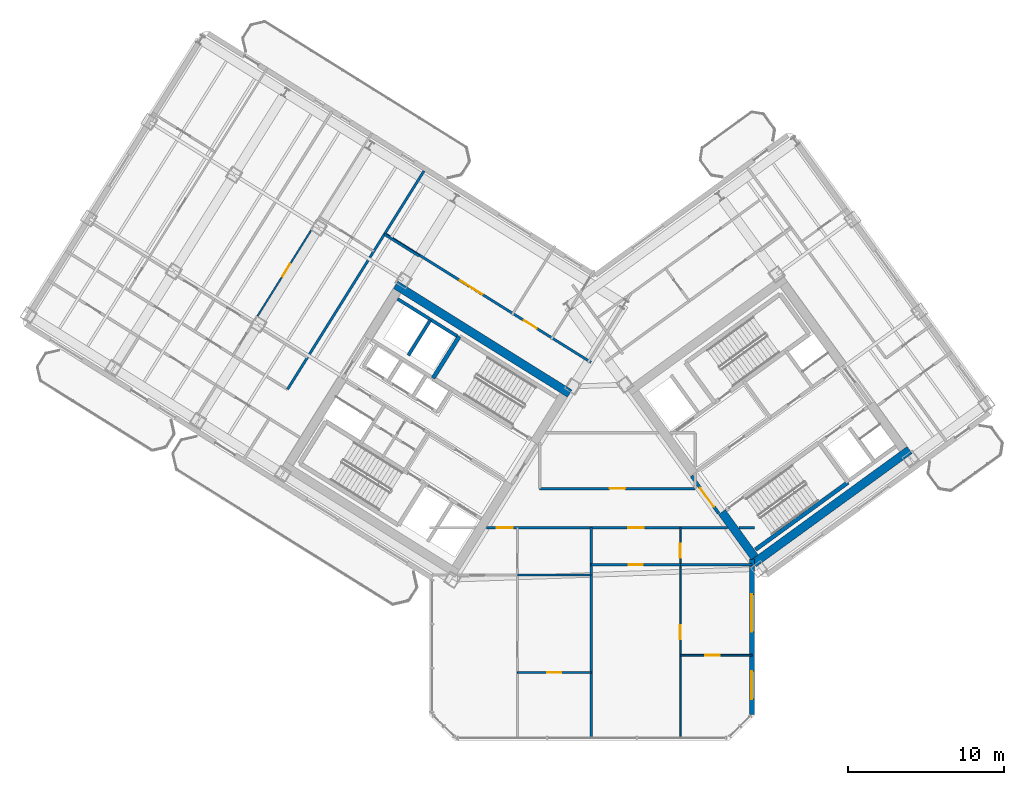
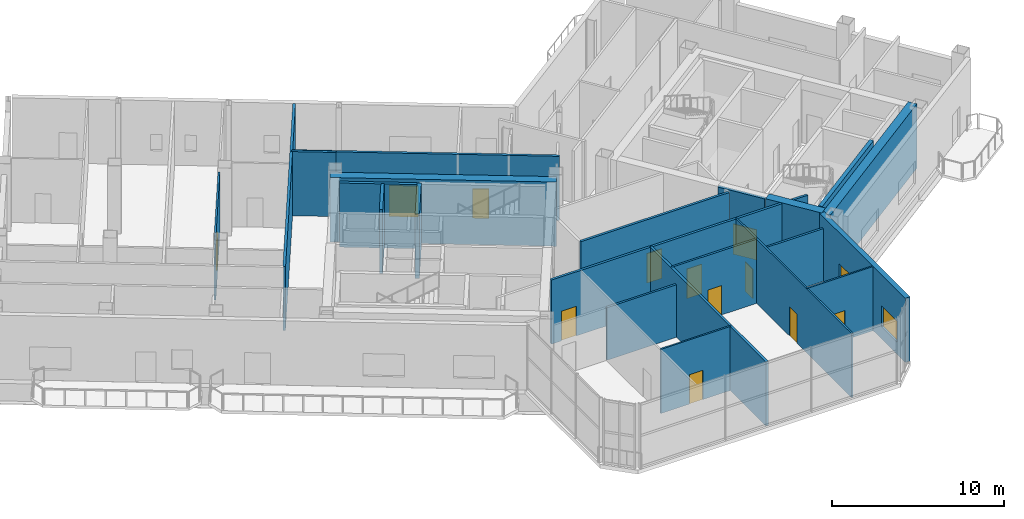
# One storey, part 14 of 21: 23 walls, 12 doors, 2 windows, 14 openings.
"""IFC4 building model written with IfcOpenShell, lengths in metres."""

from ifc_helpers import new_model, si_unit, direction, frame, frame_2d, origin, place, context, subcontext, project, spatial, rectangle, extrude, source, transform, mapped, material, layer, layer_set, type_object, element, fill, save


model = new_model("IFC4")

# Units and contexts
model_context = context("Model", 3, precision=1e-05, world=origin(), true_north=direction((0.0, 1.0)))
body_context = subcontext(model_context, "Body", "Model", "MODEL_VIEW")
ifc_project = project(units=[si_unit("LENGTHUNIT", "METRE"), si_unit("AREAUNIT", "SQUARE_METRE"), si_unit("VOLUMEUNIT", "CUBIC_METRE"), si_unit("PLANEANGLEUNIT", "RADIAN"), si_unit("MASSUNIT", "GRAM", prefix="KILO")], contexts=[model_context])

# Site, building, storey
site_placement = place(None, origin())
site = spatial("IfcSite", under=ifc_project, at=site_placement, CompositionType="ELEMENT")
building_placement = place(site_placement, origin())
building = spatial("IfcBuilding", under=site, at=building_placement, Name="Tlacorven Tower", CompositionType="ELEMENT")
storey_placement = place(building_placement, frame((0.0, 0.0, 179.39990234375)))
storey = spatial("IfcBuildingStorey", under=building, at=storey_placement, Name="L45", CompositionType="ELEMENT", Elevation=179.39990234375)

# Walls
ifc_material_1 = material(Name="Concrete C60/75", Category="concrete")
ifc_layer_1 = layer(ifc_material_1, 0.550048828125)
ifc_layer_set_1 = layer_set([ifc_layer_1], Name="Concrete C60/75")
wall_type_1 = type_object("IfcWallType", Name="WL-COR-550", PredefinedType="SHEAR", material=ifc_layer_set_1)
wall_1_placement = place(storey_placement, frame((40.572998046875, 24.010009765625, 0.0), z_axis=(0.0, 0.0, 1.0), x_axis=(-0.848047359947, 0.529920442413, 0.0)))
element("IfcWall", 1, at=wall_1_placement, inside=storey, type_object=wall_type_1, Name="L45 W core shear wall S1", PredefinedType="SHEAR", context=body_context, shape_type="SweptSolid", body=[
    extrude(rectangle(XDim=13.139892578125, YDim=0.550048828125, at=frame_2d((6.56982421875, 0.0))), origin(), (0.0, 0.0, 1.0), 4.550048828125),
])
wall_2_placement = place(storey_placement, frame((52.35888671875, 13.1396484375, 0.0), z_axis=(0.0, 0.0, 1.0), x_axis=(0.809014896919, 0.587788139183, 0.0)))
element("IfcWall", 2, at=wall_2_placement, inside=storey, type_object=wall_type_1, Name="L45 E core shear wall S1", PredefinedType="SHEAR", context=body_context, shape_type="SweptSolid", body=[
    extrude(rectangle(XDim=12.340087890625, YDim=0.550048828125, at=frame_2d((6.169921875, 0.0))), origin(), (0.0, 0.0, 1.0), 4.550048828125),
])
wall_3_placement = place(storey_placement, frame((52.419677734375, 13.52392578125, 0.0), z_axis=(0.0, 0.0, 1.0), x_axis=(-0.587802113096, 0.809004744015, 0.0)))
element("IfcWall", 3, at=wall_3_placement, inside=storey, type_object=wall_type_1, Name="L45 E core end wall E1.1", PredefinedType="SHEAR", context=body_context, shape_type="SweptSolid", body=[
    extrude(rectangle(XDim=3.574951171875, YDim=0.550048828125, at=frame_2d((1.78759765625, 0.0))), origin(), (0.0, 0.0, 1.0), 4.550048828125),
])
ifc_material_2 = material(Name="Gypsum plasterboard acoustic partition", Category="gypsum")
ifc_layer_2 = layer(ifc_material_2, 0.159912109375)
ifc_layer_set_2 = layer_set([ifc_layer_2], Name="Gypsum plasterboard acoustic partition")
wall_type_2 = type_object("IfcWallType", Name="WL-DEM-160", PredefinedType="PARTITIONING", material=ifc_layer_set_2)
wall_4_placement = place(storey_placement, frame((30.91357421875, 32.82861328125, 0.0), z_axis=(0.0, 0.0, 1.0), x_axis=(-0.848008813643, 0.529982124211, 0.0)))
element("IfcWall", 4, at=wall_4_placement, inside=storey, type_object=wall_type_2, Name="L45 partition 45", PredefinedType="PARTITIONING", context=body_context, shape_type="SweptSolid", body=[
    extrude(rectangle(XDim=2.610107421875, YDim=0.159912109375, at=frame_2d((1.30517578125, 0.0))), origin(), (0.0, 0.0, 1.0), 4.5400390625),
])
wall_5_placement = place(storey_placement, frame((31.238525390625, 38.27392578125, 0.0), z_axis=(0.0, 0.0, 1.0), x_axis=(-0.529921796515, -0.848046513806, 0.0)))
element("IfcWall", 5, at=wall_5_placement, inside=storey, type_object=wall_type_2, Name="L45 partition 47", PredefinedType="PARTITIONING", context=body_context, shape_type="SweptSolid", body=[
    extrude(rectangle(XDim=16.5, YDim=0.159912109375, at=frame_2d((8.25, 0.0))), origin(), (0.0, 0.0, 1.0), 4.5400390625),
])

# Wall, openings, doors
wall_6_placement = place(storey_placement, frame((41.93603515625, 26.011962890625, 0.0), z_axis=(0.0, 0.0, 1.0), x_axis=(-0.848051154596, 0.529914369676, 0.0)))
wall_6 = element("IfcWall", 6, at=wall_6_placement, inside=storey, type_object=wall_type_2, Name="L45 partition 64", PredefinedType="PARTITIONING", context=body_context, shape_type="SweptSolid", body=[
    extrude(rectangle(XDim=15.56982421875, YDim=0.159912109375, at=frame_2d((7.784912109375, 0.0))), origin(), (0.0, 0.0, 1.0), 4.5400390625),
])
opening_1_placement = place(wall_6_placement, frame((4.10009765625, 0.0, 0.0)))
opening_1 = element("IfcOpeningElement", 7, at=opening_1_placement, cuts=wall_6, Name="Opening D14", PredefinedType="OPENING", context=body_context, shape_type="SweptSolid", body=[
    extrude(rectangle(XDim=0.9599609375, YDim=2.080078125, at=frame_2d((0.47998046875, 1.0400390625))), frame((0.0, 0.08984375, 0.0), z_axis=(0.0, -1.0, 0.0), x_axis=(1.0, 0.0, 0.0)), (0.0, 0.0, 1.0), 0.179931640625),
])
opening_2_placement = place(wall_6_placement, frame((8.199951171875, 0.0, 0.0)))
opening_2 = element("IfcOpeningElement", 8, at=opening_2_placement, cuts=wall_6, Name="Opening D17", PredefinedType="OPENING", context=body_context, shape_type="SweptSolid", body=[
    extrude(rectangle(XDim=1.699951171875, YDim=2.199951171875, at=frame_2d((0.85009765625, 1.10009765625))), frame((0.0, 0.08984375, 0.0), z_axis=(0.0, -1.0, 0.0), x_axis=(1.0, 0.0, 0.0)), (0.0, 0.0, 1.0), 0.179931640625),
])
ifc_material_3 = material(Name="Fire-rated steel door assembly", Category="steel")
door_type_1 = type_object("IfcDoorType", Name="DR-COM-HALL-1700", OperationType="DOUBLE_DOOR_SINGLE_SWING", PredefinedType="DOOR", material=ifc_material_3)
shared_shape_1 = source(origin(), body_context, "Body", "SweptSolid", [
    extrude(rectangle(XDim=1.699951171875, YDim=2.199951171875, at=frame_2d((0.85009765625, 1.10009765625))), frame((0.0, 0.02490234375, 0.0), z_axis=(0.0, -1.0, 0.0), x_axis=(1.0, 0.0, 0.0)), (0.0, 0.0, 1.0), 0.050048828125),
])
door_1_placement = place(opening_2_placement, origin())
door_1 = element("IfcDoor", 9, at=door_1_placement, inside=storey, type_object=door_type_1, Name="L45 door 040", OperationType="DOUBLE_DOOR_SINGLE_SWING", OverallHeight=2.199951171875, OverallWidth=1.699951171875, PredefinedType="DOOR", context=body_context, shape_type="MappedRepresentation", body=[
    mapped(shared_shape_1, transform((0.0, 0.0, 0.0), scale=1.0)),
])
fill(opening_2, door_1)
ifc_material_4 = material(Name="Powder-coated aluminium and timber door", Category="wood")
door_type_2 = type_object("IfcDoorType", Name="DR-INT-AWC-0960", OperationType="NOTDEFINED", PredefinedType="DOOR", material=ifc_material_4)
shared_shape_2 = source(origin(), body_context, "Body", "SweptSolid", [
    extrude(rectangle(XDim=0.9599609375, YDim=2.080078125, at=frame_2d((0.47998046875, 1.0400390625))), frame((0.0, 0.02490234375, 0.0), z_axis=(0.0, -1.0, 0.0), x_axis=(1.0, 0.0, 0.0)), (0.0, 0.0, 1.0), 0.050048828125),
])
door_2_placement = place(opening_1_placement, origin())
door_2 = element("IfcDoor", 10, at=door_2_placement, inside=storey, type_object=door_type_2, Name="L45 door 039", OperationType="SINGLE_SWING_LEFT", OverallHeight=2.080078125, OverallWidth=0.9599609375, PredefinedType="DOOR", context=body_context, shape_type="MappedRepresentation", body=[
    mapped(shared_shape_2, transform((0.0, 0.0, 0.0), scale=1.0)),
])
fill(opening_1, door_2)

wall_7_placement = place(storey_placement, frame((35.2373046875, 15.419921875, 0.0), z_axis=(0.0, 0.0, 1.0), x_axis=(1.0, 0.0, 0.0)))
wall_7 = element("IfcWall", 11, at=wall_7_placement, inside=storey, type_object=wall_type_2, Name="L45 Knuckle Corridor South Wall", PredefinedType="PARTITIONING", context=body_context, shape_type="SweptSolid", body=[
    extrude(rectangle(XDim=15.431640625, YDim=0.159912109375, at=frame_2d((7.7158203125, 0.0))), origin(), (0.0, 0.0, 1.0), 4.5400390625),
])
opening_3_placement = place(wall_7_placement, frame((0.673583984375, 0.0, 0.0)))
opening_3 = element("IfcOpeningElement", 12, at=opening_3_placement, cuts=wall_7, Name="Opening D11", PredefinedType="OPENING", context=body_context, shape_type="SweptSolid", body=[
    extrude(rectangle(XDim=1.0, YDim=2.10009765625, at=frame_2d((0.5, 1.050048828125))), frame((0.0, 0.08984375, 0.0), z_axis=(0.0, -1.0, 0.0), x_axis=(1.0, 0.0, 0.0)), (0.0, 0.0, 1.0), 0.179931640625),
])
opening_4_placement = place(wall_7_placement, frame((9.093994140625, 0.0, 0.0)))
opening_4 = element("IfcOpeningElement", 13, at=opening_4_placement, cuts=wall_7, Name="Opening D11", PredefinedType="OPENING", context=body_context, shape_type="SweptSolid", body=[
    extrude(rectangle(XDim=1.0, YDim=2.10009765625, at=frame_2d((0.5, 1.050048828125))), frame((0.0, 0.08984375, 0.0), z_axis=(0.0, -1.0, 0.0), x_axis=(1.0, 0.0, 0.0)), (0.0, 0.0, 1.0), 0.179931640625),
])
door_type_3 = type_object("IfcDoorType", Name="DR-FLT-FD60-1000", OperationType="NOTDEFINED", PredefinedType="DOOR", material=ifc_material_3)
shared_shape_3 = source(origin(), body_context, "Body", "SweptSolid", [
    extrude(rectangle(XDim=1.0, YDim=2.10009765625, at=frame_2d((0.5, 1.050048828125))), frame((0.0, 0.02490234375, 0.0), z_axis=(0.0, -1.0, 0.0), x_axis=(1.0, 0.0, 0.0)), (0.0, 0.0, 1.0), 0.050048828125),
])
door_3_placement = place(opening_3_placement, frame((1.0, 0.0, 0.0), z_axis=(0.0, 0.0, 1.0), x_axis=(-1.0, 0.0, 0.0)))
door_3 = element("IfcDoor", 14, at=door_3_placement, inside=storey, type_object=door_type_3, Name="L45 door 046", OperationType="SINGLE_SWING_LEFT", OverallHeight=2.10009765625, OverallWidth=1.0, PredefinedType="DOOR", context=body_context, shape_type="MappedRepresentation", body=[
    mapped(shared_shape_3, transform((0.0, 0.0, 0.0), scale=1.0)),
])
fill(opening_3, door_3)
door_4_placement = place(opening_4_placement, frame((1.0, 0.0, 0.0), z_axis=(0.0, 0.0, 1.0), x_axis=(-1.0, 0.0, 0.0)))
door_4 = element("IfcDoor", 15, at=door_4_placement, inside=storey, type_object=door_type_3, Name="L45 door 051", OperationType="SINGLE_SWING_RIGHT", OverallHeight=2.10009765625, OverallWidth=1.0, PredefinedType="DOOR", context=body_context, shape_type="MappedRepresentation", body=[
    mapped(shared_shape_3, transform((0.0, 0.0, 0.0), scale=1.0)),
])
fill(opening_4, door_4)

# Wall
wall_8_placement = place(storey_placement, frame((51.41552734375, 15.419921875, 0.0), z_axis=(0.0, 0.0, 1.0), x_axis=(1.0, 0.0, 0.0)))
element("IfcWall", 16, at=wall_8_placement, inside=storey, type_object=wall_type_2, Name="L45 Knuckle Corridor South Wall", PredefinedType="PARTITIONING", context=body_context, shape_type="SweptSolid", body=[
    extrude(rectangle(XDim=0.984375, YDim=0.159912109375, at=frame_2d((0.4921875, 0.0))), origin(), (0.0, 0.0, 1.0), 4.5400390625),
])

# Wall, opening, door
wall_9_placement = place(storey_placement, frame((38.64990234375, 17.929931640625, 0.0), z_axis=(0.0, 0.0, 1.0), x_axis=(1.0, 0.0, 0.0)))
wall_9 = element("IfcWall", 17, at=wall_9_placement, inside=storey, type_object=wall_type_2, Name="L45 partition 71", PredefinedType="PARTITIONING", context=body_context, shape_type="SweptSolid", body=[
    extrude(rectangle(XDim=9.9501953125, YDim=0.159912109375, at=frame_2d((4.97509765625, 0.0))), origin(), (0.0, 0.0, 1.0), 4.5400390625),
])
opening_5_placement = place(wall_9_placement, frame((4.47509765625, 0.0, 0.0)))
opening_5 = element("IfcOpeningElement", 18, at=opening_5_placement, cuts=wall_9, Name="Opening D11", PredefinedType="OPENING", context=body_context, shape_type="SweptSolid", body=[
    extrude(rectangle(XDim=1.0, YDim=2.10009765625, at=frame_2d((0.5, 1.050048828125))), frame((0.0, 0.08984375, 0.0), z_axis=(0.0, -1.0, 0.0), x_axis=(1.0, 0.0, 0.0)), (0.0, 0.0, 1.0), 0.179931640625),
])
door_5_placement = place(opening_5_placement, origin())
door_5 = element("IfcDoor", 19, at=door_5_placement, inside=storey, type_object=door_type_3, Name="L45 door 041", OperationType="SINGLE_SWING_RIGHT", OverallHeight=2.10009765625, OverallWidth=1.0, PredefinedType="DOOR", context=body_context, shape_type="MappedRepresentation", body=[
    mapped(shared_shape_3, transform((0.0, 0.0, 0.0), scale=1.0)),
])
fill(opening_5, door_5)

# Wall
wall_10_placement = place(storey_placement, frame((41.949951171875, 1.9599609375, 0.0), z_axis=(0.0, 0.0, 1.0), x_axis=(0.0, 1.0, 0.0)))
element("IfcWall", 20, at=wall_10_placement, inside=storey, type_object=wall_type_2, Name="L45 Knuckle Demising Wall 1", PredefinedType="PARTITIONING", context=body_context, shape_type="SweptSolid", body=[
    extrude(rectangle(XDim=13.4599609375, YDim=0.159912109375, at=frame_2d((6.72998046875, 0.0))), origin(), (0.0, 0.0, 1.0), 4.5400390625),
])

# Wall, openings, windows
ifc_material_5 = material(Name="Precast concrete C45/55", Category="concrete")
ifc_layer_3 = layer(ifc_material_5, 0.320068359375)
ifc_layer_set_3 = layer_set([ifc_layer_3], Name="Precast concrete C45/55")
wall_type_3 = type_object("IfcWallType", Name="WL-EXT-320", PredefinedType="STANDARD", material=ifc_layer_set_3)
wall_11_placement = place(storey_placement, frame((52.239990234375, 13.4140625, 0.0), z_axis=(0.0, 0.0, 1.0), x_axis=(0.0, -1.0, 0.0)))
wall_11 = element("IfcWall", 21, at=wall_11_placement, inside=storey, type_object=wall_type_3, Name="L45 Masonry-Frame Recessed Facade Wall 7", PredefinedType="STANDARD", context=body_context, shape_type="SweptSolid", body=[
    extrude(rectangle(XDim=9.94775390625, YDim=0.320068359375, at=frame_2d((4.973876953125, 0.0))), origin(), (0.0, 0.0, 1.0), 4.550048828125),
])
opening_6_placement = place(wall_11_placement, frame((2.267578125, 0.0, 0.75)))
opening_6 = element("IfcOpeningElement", 22, at=opening_6_placement, cuts=wall_11, Name="Opening WN06", PredefinedType="OPENING", context=body_context, shape_type="SweptSolid", body=[
    extrude(rectangle(XDim=2.39990234375, YDim=1.60009765625, at=frame_2d((1.199951171875, 0.800048828125))), frame((0.0, 0.169921875, 0.0), z_axis=(0.0, -1.0, 0.0), x_axis=(1.0, 0.0, 0.0)), (0.0, 0.0, 1.0), 0.340087890625),
])
opening_7_placement = place(wall_11_placement, frame((7.183349609375, 0.0, 0.85009765625)))
opening_7 = element("IfcOpeningElement", 23, at=opening_7_placement, cuts=wall_11, Name="Opening WN01", PredefinedType="OPENING", context=body_context, shape_type="SweptSolid", body=[
    extrude(rectangle(XDim=1.800048828125, YDim=1.5, at=frame_2d((0.89990234375, 0.75))), frame((0.0, 0.169921875, 0.0), z_axis=(0.0, -1.0, 0.0), x_axis=(1.0, 0.0, 0.0)), (0.0, 0.0, 1.0), 0.340087890625),
])
ifc_material_6 = material(Name="Dark solar low-E double glazing in anodised aluminium frame", Category="aluminium")
window_type_1 = type_object("IfcWindowType", Name="WN-APT-1800X1650", PartitioningType="SINGLE_PANEL", PredefinedType="WINDOW", material=ifc_material_6)
shared_shape_4 = source(origin(), body_context, "Body", "SweptSolid", [
    extrude(rectangle(XDim=1.800048828125, YDim=1.5, at=frame_2d((0.89990234375, 0.75))), frame((0.0, 0.030029296875, 0.0), z_axis=(0.0, -1.0, 0.0), x_axis=(1.0, 0.0, 0.0)), (0.0, 0.0, 1.0), 0.06005859375),
])
window_1_placement = place(opening_7_placement, origin())
window_1 = element("IfcWindow", 24, at=window_1_placement, inside=storey, type_object=window_type_1, Name="L45 Recessed Masonry-Frame Window L45-07.2", OverallHeight=1.5, OverallWidth=1.800048828125, PartitioningType="SINGLE_PANEL", PredefinedType="WINDOW", context=body_context, shape_type="MappedRepresentation", body=[
    mapped(shared_shape_4, transform((0.0, 0.0, 0.0), scale=1.0)),
])
fill(opening_7, window_1)
window_type_2 = type_object("IfcWindowType", Name="WN-APT-2400X1800", PartitioningType="SINGLE_PANEL", PredefinedType="WINDOW", material=ifc_material_6)
shared_shape_5 = source(origin(), body_context, "Body", "SweptSolid", [
    extrude(rectangle(XDim=2.39990234375, YDim=1.60009765625, at=frame_2d((1.199951171875, 0.800048828125))), frame((0.0, 0.030029296875, 0.0), z_axis=(0.0, -1.0, 0.0), x_axis=(1.0, 0.0, 0.0)), (0.0, 0.0, 1.0), 0.06005859375),
])
window_2_placement = place(opening_6_placement, origin())
window_2 = element("IfcWindow", 25, at=window_2_placement, inside=storey, type_object=window_type_2, Name="L45 Recessed Masonry-Frame Window L45-07.1", OverallHeight=1.60009765625, OverallWidth=2.39990234375, PartitioningType="SINGLE_PANEL", PredefinedType="WINDOW", context=body_context, shape_type="MappedRepresentation", body=[
    mapped(shared_shape_5, transform((0.0, 0.0, 0.0), scale=1.0)),
])
fill(opening_6, window_2)

# Wall, opening, door
ifc_material_7 = material(Name="Gypsum plasterboard partition", Category="gypsum")
ifc_layer_4 = layer(ifc_material_7, 0.110107421875)
ifc_layer_set_4 = layer_set([ifc_layer_4], Name="Gypsum plasterboard partition")
wall_type_4 = type_object("IfcWallType", Name="WL-INT-110", PredefinedType="PARTITIONING", material=ifc_layer_set_4)
wall_12_placement = place(storey_placement, frame((24.00390625, 34.46728515625, 0.0), z_axis=(0.0, 0.0, 1.0), x_axis=(-0.529907440938, -0.848055484057, 0.0)))
wall_12 = element("IfcWall", 26, at=wall_12_placement, inside=storey, type_object=wall_type_4, Name="L45 partition 54", PredefinedType="PARTITIONING", context=body_context, shape_type="SweptSolid", body=[
    extrude(rectangle(XDim=6.475830078125, YDim=0.110107421875, at=frame_2d((3.23779296875, 0.0))), origin(), (0.0, 0.0, 1.0), 4.5400390625),
])
opening_8_placement = place(wall_12_placement, frame((2.551513671875, 0.0, 0.0)))
opening_8 = element("IfcOpeningElement", 27, at=opening_8_placement, cuts=wall_12, Name="Opening D12", PredefinedType="OPENING", context=body_context, shape_type="SweptSolid", body=[
    extrude(rectangle(XDim=0.919921875, YDim=2.080078125, at=frame_2d((0.4599609375, 1.0400390625))), frame((0.0, 0.06494140625, 0.0), z_axis=(0.0, -1.0, 0.0), x_axis=(1.0, 0.0, 0.0)), (0.0, 0.0, 1.0), 0.130126953125),
])
door_type_4 = type_object("IfcDoorType", Name="DR-INT-ROOM-0920", OperationType="NOTDEFINED", PredefinedType="DOOR", material=ifc_material_4)
shared_shape_6 = source(origin(), body_context, "Body", "SweptSolid", [
    extrude(rectangle(XDim=0.919921875, YDim=2.080078125, at=frame_2d((0.4599609375, 1.0400390625))), frame((0.0, 0.02490234375, 0.0), z_axis=(0.0, -1.0, 0.0), x_axis=(1.0, 0.0, 0.0)), (0.0, 0.0, 1.0), 0.050048828125),
])
door_6_placement = place(opening_8_placement, origin())
door_6 = element("IfcDoor", 28, at=door_6_placement, inside=storey, type_object=door_type_4, Name="L45 door 030", OperationType="SINGLE_SWING_RIGHT", OverallHeight=2.080078125, OverallWidth=0.919921875, PredefinedType="DOOR", context=body_context, shape_type="MappedRepresentation", body=[
    mapped(shared_shape_6, transform((0.0, 0.0, 0.0), scale=1.0)),
])
fill(opening_8, door_6)

wall_13_placement = place(storey_placement, frame((37.221923828125, 6.14990234375, 0.0), z_axis=(0.0, 0.0, 1.0), x_axis=(1.0, 0.0, 0.0)))
wall_13 = element("IfcWall", 29, at=wall_13_placement, inside=storey, type_object=wall_type_4, Name="L45 partition 80", PredefinedType="PARTITIONING", context=body_context, shape_type="SweptSolid", body=[
    extrude(rectangle(XDim=4.72802734375, YDim=0.110107421875, at=frame_2d((2.364013671875, 0.0))), origin(), (0.0, 0.0, 1.0), 4.5400390625),
])
opening_9_placement = place(wall_13_placement, frame((1.904052734375, 0.0, 0.0)))
opening_9 = element("IfcOpeningElement", 30, at=opening_9_placement, cuts=wall_13, Name="Opening D12", PredefinedType="OPENING", context=body_context, shape_type="SweptSolid", body=[
    extrude(rectangle(XDim=0.919921875, YDim=2.080078125, at=frame_2d((0.4599609375, 1.0400390625))), frame((0.0, 0.06494140625, 0.0), z_axis=(0.0, -1.0, 0.0), x_axis=(1.0, 0.0, 0.0)), (0.0, 0.0, 1.0), 0.130126953125),
])
door_7_placement = place(opening_9_placement, origin())
door_7 = element("IfcDoor", 31, at=door_7_placement, inside=storey, type_object=door_type_4, Name="L45 door 045", OperationType="SINGLE_SWING_RIGHT", OverallHeight=2.080078125, OverallWidth=0.919921875, PredefinedType="DOOR", context=body_context, shape_type="MappedRepresentation", body=[
    mapped(shared_shape_6, transform((0.0, 0.0, 0.0), scale=1.0)),
])
fill(opening_9, door_7)

# Wall, openings, doors
wall_14_placement = place(storey_placement, frame((47.6630859375, 1.9599609375, 0.0), z_axis=(0.0, 0.0, 1.0), x_axis=(0.0, 1.0, 0.0)))
wall_14 = element("IfcWall", 32, at=wall_14_placement, inside=storey, type_object=wall_type_4, Name="L45 partition 81", PredefinedType="PARTITIONING", context=body_context, shape_type="SweptSolid", body=[
    extrude(rectangle(XDim=13.4599609375, YDim=0.110107421875, at=frame_2d((6.72998046875, 0.0))), origin(), (0.0, 0.0, 1.0), 4.5400390625),
])
opening_10_placement = place(wall_14_placement, frame((6.300048828125, 0.0, 0.0)))
opening_10 = element("IfcOpeningElement", 33, at=opening_10_placement, cuts=wall_14, Name="Opening D12", PredefinedType="OPENING", context=body_context, shape_type="SweptSolid", body=[
    extrude(rectangle(XDim=0.919921875, YDim=2.080078125, at=frame_2d((0.4599609375, 1.0400390625))), frame((0.0, 0.06494140625, 0.0), z_axis=(0.0, -1.0, 0.0), x_axis=(1.0, 0.0, 0.0)), (0.0, 0.0, 1.0), 0.130126953125),
])
opening_11_placement = place(wall_14_placement, frame((11.5400390625, 0.0, 0.0)))
opening_11 = element("IfcOpeningElement", 34, at=opening_11_placement, cuts=wall_14, Name="Opening D13", PredefinedType="OPENING", context=body_context, shape_type="SweptSolid", body=[
    extrude(rectangle(XDim=0.8798828125, YDim=2.080078125, at=frame_2d((0.43994140625, 1.0400390625))), frame((0.0, 0.06494140625, 0.0), z_axis=(0.0, -1.0, 0.0), x_axis=(1.0, 0.0, 0.0)), (0.0, 0.0, 1.0), 0.130126953125),
])
door_type_5 = type_object("IfcDoorType", Name="DR-INT-WET-0880", OperationType="NOTDEFINED", PredefinedType="DOOR", material=ifc_material_4)
shared_shape_7 = source(origin(), body_context, "Body", "SweptSolid", [
    extrude(rectangle(XDim=0.8798828125, YDim=2.080078125, at=frame_2d((0.43994140625, 1.0400390625))), frame((0.0, 0.02490234375, 0.0), z_axis=(0.0, -1.0, 0.0), x_axis=(1.0, 0.0, 0.0)), (0.0, 0.0, 1.0), 0.050048828125),
])
door_8_placement = place(opening_11_placement, origin())
door_8 = element("IfcDoor", 35, at=door_8_placement, inside=storey, type_object=door_type_5, Name="L45 door 053", OperationType="SINGLE_SWING_RIGHT", OverallHeight=2.080078125, OverallWidth=0.8798828125, PredefinedType="DOOR", context=body_context, shape_type="MappedRepresentation", body=[
    mapped(shared_shape_7, transform((0.0, 0.0, 0.0), scale=1.0)),
])
fill(opening_11, door_8)
door_9_placement = place(opening_10_placement, origin())
door_9 = element("IfcDoor", 36, at=door_9_placement, inside=storey, type_object=door_type_4, Name="L45 door 049", OperationType="SINGLE_SWING_RIGHT", OverallHeight=2.080078125, OverallWidth=0.919921875, PredefinedType="DOOR", context=body_context, shape_type="MappedRepresentation", body=[
    mapped(shared_shape_6, transform((0.0, 0.0, 0.0), scale=1.0)),
])
fill(opening_10, door_9)

# Wall, opening, door
wall_15_placement = place(storey_placement, frame((47.6630859375, 7.25, 0.0), z_axis=(0.0, 0.0, 1.0), x_axis=(1.0, 0.0, 0.0)))
wall_15 = element("IfcWall", 37, at=wall_15_placement, inside=storey, type_object=wall_type_4, Name="L45 partition 84", PredefinedType="PARTITIONING", context=body_context, shape_type="SweptSolid", body=[
    extrude(rectangle(XDim=4.596923828125, YDim=0.110107421875, at=frame_2d((2.29833984375, 0.0))), origin(), (0.0, 0.0, 1.0), 4.5400390625),
])
opening_12_placement = place(wall_15_placement, frame((1.6083984375, 0.0, 0.0)))
opening_12 = element("IfcOpeningElement", 38, at=opening_12_placement, cuts=wall_15, Name="Opening D12", PredefinedType="OPENING", context=body_context, shape_type="SweptSolid", body=[
    extrude(rectangle(XDim=0.919921875, YDim=2.080078125, at=frame_2d((0.4599609375, 1.0400390625))), frame((0.0, 0.06494140625, 0.0), z_axis=(0.0, -1.0, 0.0), x_axis=(1.0, 0.0, 0.0)), (0.0, 0.0, 1.0), 0.130126953125),
])
door_10_placement = place(opening_12_placement, origin())
door_10 = element("IfcDoor", 39, at=door_10_placement, inside=storey, type_object=door_type_4, Name="L45 door 050", OperationType="SINGLE_SWING_LEFT", OverallHeight=2.080078125, OverallWidth=0.919921875, PredefinedType="DOOR", context=body_context, shape_type="MappedRepresentation", body=[
    mapped(shared_shape_6, transform((0.0, 0.0, 0.0), scale=1.0)),
])
fill(opening_12, door_10)

# Wall
ifc_material_8 = material(Name="Moisture-resistant gypsum plumbing wall", Category="gypsum")
ifc_layer_5 = layer(ifc_material_8, 0.139892578125)
ifc_layer_set_5 = layer_set([ifc_layer_5], Name="Moisture-resistant gypsum plumbing wall")
wall_type_5 = type_object("IfcWallType", Name="WL-PLM-140", PredefinedType="PLUMBINGWALL", material=ifc_layer_set_5)
wall_16_placement = place(storey_placement, frame((37.221923828125, 12.389892578125, 0.0), z_axis=(0.0, 0.0, 1.0), x_axis=(1.0, 0.0, 0.0)))
element("IfcWall", 40, at=wall_16_placement, inside=storey, type_object=wall_type_5, Name="L45 partition 79", PredefinedType="PLUMBINGWALL", context=body_context, shape_type="SweptSolid", body=[
    extrude(rectangle(XDim=4.72802734375, YDim=0.139892578125, at=frame_2d((2.364013671875, 0.0))), origin(), (0.0, 0.0, 1.0), 3.72509765625),
])

# Wall, opening, door
wall_17_placement = place(storey_placement, frame((41.949951171875, 13.0400390625, 0.0), z_axis=(0.0, 0.0, 1.0), x_axis=(1.0, 0.0, 0.0)))
wall_17 = element("IfcWall", 41, at=wall_17_placement, inside=storey, type_object=wall_type_5, Name="L45 partition 82", PredefinedType="PLUMBINGWALL", context=body_context, shape_type="SweptSolid", body=[
    extrude(rectangle(XDim=5.713134765625, YDim=0.139892578125, at=frame_2d((2.8564453125, 0.0))), origin(), (0.0, 0.0, 1.0), 4.5400390625),
])
opening_13_placement = place(wall_17_placement, frame((2.396484375, 0.0, 0.0)))
opening_13 = element("IfcOpeningElement", 42, at=opening_13_placement, cuts=wall_17, Name="Opening D12", PredefinedType="OPENING", context=body_context, shape_type="SweptSolid", body=[
    extrude(rectangle(XDim=0.919921875, YDim=2.080078125, at=frame_2d((0.4599609375, 1.0400390625))), frame((0.0, 0.080078125, 0.0), z_axis=(0.0, -1.0, 0.0), x_axis=(1.0, 0.0, 0.0)), (0.0, 0.0, 1.0), 0.159912109375),
])
door_11_placement = place(opening_13_placement, frame((0.919921875, 0.0, 0.0), z_axis=(0.0, 0.0, 1.0), x_axis=(-1.0, 0.0, 0.0)))
door_11 = element("IfcDoor", 43, at=door_11_placement, inside=storey, type_object=door_type_4, Name="L45 door 052", OperationType="SINGLE_SWING_LEFT", OverallHeight=2.080078125, OverallWidth=0.919921875, PredefinedType="DOOR", context=body_context, shape_type="MappedRepresentation", body=[
    mapped(shared_shape_6, transform((0.0, 0.0, 0.0), scale=1.0)),
])
fill(opening_13, door_11)

# Walls
wall_18_placement = place(storey_placement, frame((47.6630859375, 13.0400390625, 0.0), z_axis=(0.0, 0.0, 1.0), x_axis=(1.0, 0.0, 0.0)))
element("IfcWall", 44, at=wall_18_placement, inside=storey, type_object=wall_type_5, Name="L45 partition 83", PredefinedType="PLUMBINGWALL", context=body_context, shape_type="SweptSolid", body=[
    extrude(rectangle(XDim=4.596923828125, YDim=0.139892578125, at=frame_2d((2.29833984375, 0.0))), origin(), (0.0, 0.0, 1.0), 3.72509765625),
])
ifc_material_9 = material(Name="Concrete C40/50", Category="concrete")
ifc_layer_6 = layer(ifc_material_9, 0.199951171875)
ifc_layer_set_6 = layer_set([ifc_layer_6], Name="Concrete C40/50")
wall_type_6 = type_object("IfcWallType", Name="WL-SHF-200", PredefinedType="STANDARD", material=ifc_layer_set_6)
wall_19_placement = place(storey_placement, frame((31.645263671875, 28.716064453125, 0.0), z_axis=(0.0, 0.0, 1.0), x_axis=(-0.52986693015, -0.848080795876, 0.0)))
element("IfcWall", 45, at=wall_19_placement, inside=storey, type_object=wall_type_6, Name="L45 partition 15", PredefinedType="STANDARD", context=body_context, shape_type="SweptSolid", body=[
    extrude(rectangle(XDim=2.659912109375, YDim=0.199951171875, at=frame_2d((1.330078125, 0.0))), origin(), (0.0, 0.0, 1.0), 4.5400390625),
])
wall_20_placement = place(storey_placement, frame((33.362548828125, 27.690185546875, 0.0), z_axis=(0.0, 0.0, 1.0), x_axis=(-0.848047090064, 0.529920874315, 0.0)))
element("IfcWall", 46, at=wall_20_placement, inside=storey, type_object=wall_type_6, Name="L45 partition 17", PredefinedType="STANDARD", context=body_context, shape_type="SweptSolid", body=[
    extrude(rectangle(XDim=4.498046875, YDim=0.199951171875, at=frame_2d((2.2490234375, 0.0))), origin(), (0.0, 0.0, 1.0), 4.5400390625),
])

# Wall, opening, door
wall_21_placement = place(storey_placement, frame((50.119140625, 16.3330078125, 0.0), z_axis=(0.0, 0.0, 1.0), x_axis=(-0.587749856981, 0.809042709391, 0.0)))
wall_21 = element("IfcWall", 47, at=wall_21_placement, inside=storey, type_object=wall_type_6, Name="L45 partition 75", PredefinedType="STANDARD", context=body_context, shape_type="SweptSolid", body=[
    extrude(rectangle(XDim=2.9599609375, YDim=0.199951171875, at=frame_2d((1.47998046875, 0.0))), origin(), (0.0, 0.0, 1.0), 4.5400390625),
])
opening_14_placement = place(wall_21_placement, frame((0.530029296875, 0.0, 0.0)))
opening_14 = element("IfcOpeningElement", 48, at=opening_14_placement, cuts=wall_21, Name="Opening D10", PredefinedType="OPENING", context=body_context, shape_type="SweptSolid", body=[
    extrude(rectangle(XDim=1.5, YDim=2.14990234375, at=frame_2d((0.75, 1.074951171875))), frame((0.0, 0.10986328125, 0.0), z_axis=(0.0, -1.0, 0.0), x_axis=(1.0, 0.0, 0.0)), (0.0, 0.0, 1.0), 0.219970703125),
])
door_type_6 = type_object("IfcDoorType", Name="DR-LOB-FD60-1500", OperationType="DOUBLE_DOOR_SINGLE_SWING", PredefinedType="DOOR", material=ifc_material_3)
shared_shape_8 = source(origin(), body_context, "Body", "SweptSolid", [
    extrude(rectangle(XDim=1.5, YDim=2.14990234375, at=frame_2d((0.75, 1.074951171875))), frame((0.0, 0.02490234375, 0.0), z_axis=(0.0, -1.0, 0.0), x_axis=(1.0, 0.0, 0.0)), (0.0, 0.0, 1.0), 0.050048828125),
])
door_12_placement = place(opening_14_placement, frame((1.5, 0.0, 0.0), z_axis=(0.0, 0.0, 1.0), x_axis=(-1.0, 0.0, 0.0)))
door_12 = element("IfcDoor", 49, at=door_12_placement, inside=storey, type_object=door_type_6, Name="L45 door 043", OperationType="DOUBLE_DOOR_SINGLE_SWING", OverallHeight=2.14990234375, OverallWidth=1.5, PredefinedType="DOOR", context=body_context, shape_type="MappedRepresentation", body=[
    mapped(shared_shape_8, transform((0.0, 0.0, 0.0), scale=1.0)),
])
fill(opening_14, door_12)

# Walls
ifc_material_10 = material(Name="Concrete C50/60", Category="concrete")
ifc_layer_7 = layer(ifc_material_10, 0.260009765625)
ifc_layer_set_7 = layer_set([ifc_layer_7], Name="Concrete C50/60")
wall_type_7 = type_object("IfcWallType", Name="WL-STW-260", PredefinedType="SHEAR", material=ifc_layer_set_7)
wall_22_placement = place(storey_placement, frame((33.496337890625, 27.677490234375, 0.0), z_axis=(0.0, 0.0, 1.0), x_axis=(-0.529908658664, -0.84805472316, 0.0)))
element("IfcWall", 50, at=wall_22_placement, inside=storey, type_object=wall_type_7, Name="L45 Stair W2 East Shear Wall", PredefinedType="SHEAR", context=body_context, shape_type="SweptSolid", body=[
    extrude(rectangle(XDim=3.16015625, YDim=0.260009765625, at=frame_2d((1.580078125, 0.0))), origin(), (0.0, 0.0, 1.0), 4.550048828125),
])
wall_23_placement = place(storey_placement, frame((52.47216796875, 14.01318359375, 0.0), z_axis=(0.0, 0.0, 1.0), x_axis=(0.809028366311, 0.587769599847, 0.0)))
element("IfcWall", 51, at=wall_23_placement, inside=storey, type_object=wall_type_7, Name="L45 Stair E2 Far Shear Wall", PredefinedType="SHEAR", context=body_context, shape_type="SweptSolid", body=[
    extrude(rectangle(XDim=7.330078125, YDim=0.260009765625, at=frame_2d((3.6650390625, 0.0))), origin(), (0.0, 0.0, 1.0), 4.550048828125),
])

save(model, "model.ifc")
